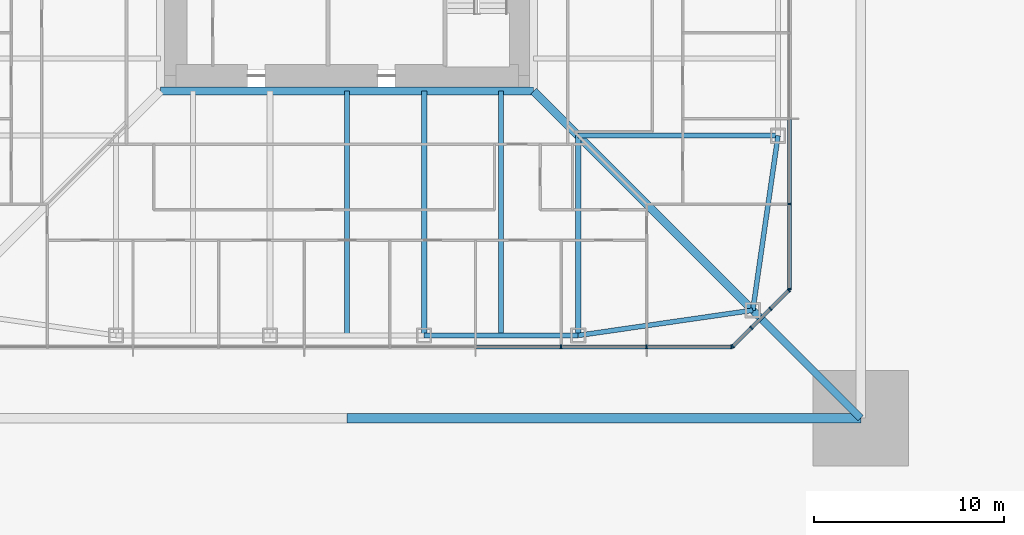
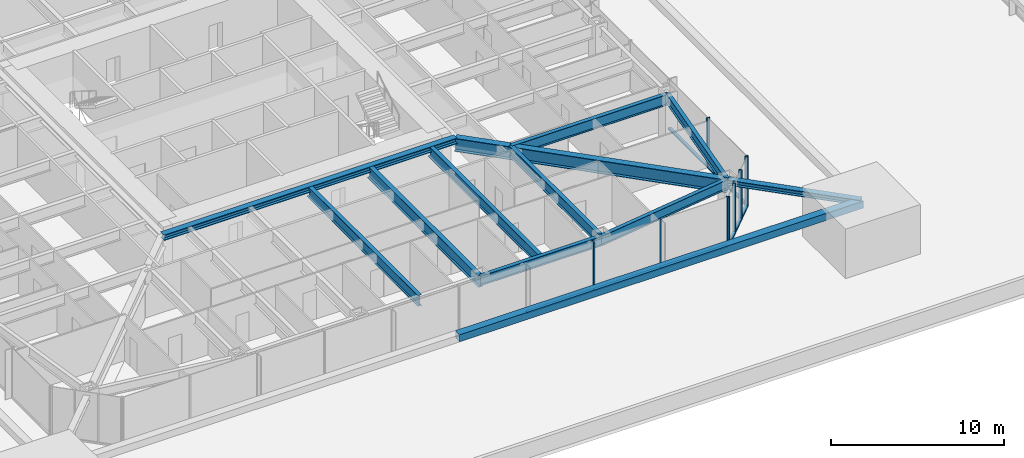
# One storey, part 4 of 31: 19 members, 10 beams, 3 elements without a shape of their own.
"""IFC4 building model written with IfcOpenShell, lengths in metres."""

from ifc_helpers import new_model, si_unit, direction, frame, origin, origin_2d, place, context, subcontext, project, spatial, rectangle, hollow_rectangle, i_section, extrude, material, material_profile, profile_set, type_object, element, aggregate, save


model = new_model("IFC4")

# Units and contexts
model_context = context("Model", 3, precision=1e-05, world=origin(), true_north=direction((0.0, 1.0)))
body_context = subcontext(model_context, "Body", "Model", "MODEL_VIEW")
ifc_project = project(units=[si_unit("LENGTHUNIT", "METRE"), si_unit("AREAUNIT", "SQUARE_METRE"), si_unit("VOLUMEUNIT", "CUBIC_METRE"), si_unit("PLANEANGLEUNIT", "RADIAN"), si_unit("MASSUNIT", "GRAM", prefix="KILO")], contexts=[model_context])

# Site, building, storey
site_placement = place(None, origin())
site = spatial("IfcSite", under=ifc_project, at=site_placement, CompositionType="ELEMENT")
building_placement = place(site_placement, origin())
building = spatial("IfcBuilding", under=site, at=building_placement, Name="Iwan Alto Co-Living Towers", CompositionType="ELEMENT")
storey_placement = place(building_placement, frame((0.0, 0.0, 15.0)))
storey = spatial("IfcBuildingStorey", under=building, at=storey_placement, Name="L03", CompositionType="ELEMENT", Elevation=15.0)

# Curtain wall, members
ifc_material_1 = material(Name="Bronze aluminium unitised frame", Category="aluminium")
curtain_wall_type_1 = type_object("IfcCurtainWallType", Name="CURTAIN WALL CW-A", PredefinedType="NOTDEFINED", material=ifc_material_1)
curtain_wall_1_placement = place(storey_placement, origin())
curtain_wall_1 = element("IfcCurtainWall", 1, at=curtain_wall_1_placement, inside=storey, type_object=curtain_wall_type_1, Name="T1 curtain wall S L03", PredefinedType="NOTDEFINED")
ifc_material_2 = material(Name="Aluminium 6063-T6 bronze anodised", Category="aluminium")
ifc_material_profile_1 = material_profile(ifc_material_2, rectangle(XDim=0.199951171875, YDim=0.080078125, at=origin_2d()), Name="AL 80X200")
ifc_profile_set_1 = profile_set([ifc_material_profile_1], Name="Aluminium 6063-T6 bronze anodised")
member_type_1 = type_object("IfcMemberType", Name="CW-A MULLION 80X200", PredefinedType="MULLION", material=ifc_profile_set_1)
member_1_placement = place(storey_placement, frame((11.25, -23.25, 0.0), z_axis=(0.0, 0.0, 1.0), x_axis=(0.0, 1.0, 0.0)))
member_1 = element("IfcMember", 2, at=member_1_placement, type_object=member_type_1, Name="CW-A mullion 8", PredefinedType="MULLION", context=body_context, shape_type="SweptSolid", body=[
    extrude(rectangle(XDim=0.199951171875, YDim=0.080078125, at=origin_2d()), origin(), (0.0, 0.0, 1.0), 3.5),
])
member_2_placement = place(storey_placement, frame((15.75, -23.25, 0.0), z_axis=(0.0, 0.0, 1.0), x_axis=(0.0, 1.0, 0.0)))
member_2 = element("IfcMember", 3, at=member_2_placement, type_object=member_type_1, Name="CW-A mullion 9", PredefinedType="MULLION", context=body_context, shape_type="SweptSolid", body=[
    extrude(rectangle(XDim=0.199951171875, YDim=0.080078125, at=origin_2d()), origin(), (0.0, 0.0, 1.0), 3.5),
])
member_3_placement = place(storey_placement, frame((20.2099609375, -23.25, 0.0), z_axis=(0.0, 0.0, 1.0), x_axis=(0.0, 1.0, 0.0)))
member_3 = element("IfcMember", 4, at=member_3_placement, type_object=member_type_1, Name="CW-A mullion 10", PredefinedType="MULLION", context=body_context, shape_type="SweptSolid", body=[
    extrude(rectangle(XDim=0.199951171875, YDim=0.080078125, at=origin_2d()), origin(), (0.0, 0.0, 1.0), 3.5),
])

curtain_wall_2_placement = place(storey_placement, origin())
curtain_wall_2 = element("IfcCurtainWall", 5, at=curtain_wall_2_placement, inside=storey, type_object=curtain_wall_type_1, Name="T1 curtain wall E L03", PredefinedType="NOTDEFINED")
member_4_placement = place(storey_placement, frame((23.25, -20.2099609375, 0.0), z_axis=(0.0, 0.0, 1.0), x_axis=(-1.0, 0.0, 0.0)))
member_4 = element("IfcMember", 6, at=member_4_placement, type_object=member_type_1, Name="CW-A mullion 1", PredefinedType="MULLION", context=body_context, shape_type="SweptSolid", body=[
    extrude(rectangle(XDim=0.199951171875, YDim=0.080078125, at=origin_2d()), origin(), (0.0, 0.0, 1.0), 3.5),
])
member_5_placement = place(storey_placement, frame((23.25, -15.75, 0.0), z_axis=(0.0, 0.0, 1.0), x_axis=(-1.0, 0.0, 0.0)))
member_5 = element("IfcMember", 7, at=member_5_placement, type_object=member_type_1, Name="CW-A mullion 2", PredefinedType="MULLION", context=body_context, shape_type="SweptSolid", body=[
    extrude(rectangle(XDim=0.199951171875, YDim=0.080078125, at=origin_2d()), origin(), (0.0, 0.0, 1.0), 3.5),
])

# Member
ifc_material_3 = material(Name="Aluminium 6063-T6 bronze anodised", Category="aluminium")
ifc_material_profile_2 = material_profile(ifc_material_3, rectangle(XDim=0.199951171875, YDim=0.10009765625, at=origin_2d()), Name="AL 200X100")
ifc_profile_set_2 = profile_set([ifc_material_profile_2], Name="Aluminium 6063-T6 bronze anodised")
member_type_2 = type_object("IfcMemberType", Name="CW-A TRANSOM 200X100", PredefinedType="USERDEFINED", material=ifc_profile_set_2)
member_6_placement = place(storey_placement, frame((6.7900390625, -23.25, 0.050048828125), z_axis=(1.0, 0.0, 0.0), x_axis=(0.0, 1.0, 0.0)))
member_6 = element("IfcMember", 8, at=member_6_placement, type_object=member_type_2, Name="CW-A transom 7.1", ObjectType="TRANSOM", PredefinedType="USERDEFINED", context=body_context, shape_type="SweptSolid", body=[
    extrude(rectangle(XDim=0.199951171875, YDim=0.10009765625, at=origin_2d()), origin(), (0.0, 0.0, 1.0), 4.419921875),
])

member_7_placement = place(storey_placement, frame((11.2900390625, -23.25, 0.050048828125), z_axis=(1.0, 0.0, 0.0), x_axis=(0.0, 1.0, 0.0)))
member_7 = element("IfcMember", 9, at=member_7_placement, type_object=member_type_2, Name="CW-A transom 8.1", ObjectType="TRANSOM", PredefinedType="USERDEFINED", context=body_context, shape_type="SweptSolid", body=[
    extrude(rectangle(XDim=0.199951171875, YDim=0.10009765625, at=origin_2d()), origin(), (0.0, 0.0, 1.0), 4.419921875),
])

member_8_placement = place(storey_placement, frame((15.7900390625, -23.25, 0.050048828125), z_axis=(1.0, 0.0, 0.0), x_axis=(0.0, 1.0, 0.0)))
member_8 = element("IfcMember", 10, at=member_8_placement, type_object=member_type_2, Name="CW-A transom 9.1", ObjectType="TRANSOM", PredefinedType="USERDEFINED", context=body_context, shape_type="SweptSolid", body=[
    extrude(rectangle(XDim=0.199951171875, YDim=0.10009765625, at=origin_2d()), origin(), (0.0, 0.0, 1.0), 4.3798828125),
])

aggregate(curtain_wall_1, [member_1, member_2, member_3, member_6, member_7, member_8])

member_9_placement = place(storey_placement, frame((23.25, -20.169921875, 0.050048828125), z_axis=(0.0, 1.0, 0.0), x_axis=(-1.0, 0.0, 0.0)))
member_9 = element("IfcMember", 11, at=member_9_placement, type_object=member_type_2, Name="CW-A transom 1.1", ObjectType="TRANSOM", PredefinedType="USERDEFINED", context=body_context, shape_type="SweptSolid", body=[
    extrude(rectangle(XDim=0.199951171875, YDim=0.10009765625, at=origin_2d()), origin(), (0.0, 0.0, 1.0), 4.3798828125),
])

member_10_placement = place(storey_placement, frame((23.25, -15.7099609375, 0.050048828125), z_axis=(0.0, 1.0, 0.0), x_axis=(-1.0, 0.0, 0.0)))
member_10 = element("IfcMember", 12, at=member_10_placement, type_object=member_type_2, Name="CW-A transom 2.1", ObjectType="TRANSOM", PredefinedType="USERDEFINED", context=body_context, shape_type="SweptSolid", body=[
    extrude(rectangle(XDim=0.199951171875, YDim=0.10009765625, at=origin_2d()), origin(), (0.0, 0.0, 1.0), 4.419921875),
])

aggregate(curtain_wall_2, [member_4, member_5, member_9, member_10])

# Curtain wall, members
ifc_material_4 = material(Name="Bronze aluminium unitised frame", Category="aluminium")
curtain_wall_type_2 = type_object("IfcCurtainWallType", Name="CURTAIN WALL CW-B", PredefinedType="NOTDEFINED", material=ifc_material_4)
curtain_wall_3_placement = place(storey_placement, origin())
curtain_wall_3 = element("IfcCurtainWall", 13, at=curtain_wall_3_placement, inside=storey, type_object=curtain_wall_type_2, Name="T1 chamfer curtain wall SE L03", PredefinedType="NOTDEFINED")
ifc_material_5 = material(Name="Aluminium 6063-T6 bronze anodised", Category="aluminium")
ifc_material_profile_3 = material_profile(ifc_material_5, rectangle(XDim=0.199951171875, YDim=0.080078125, at=origin_2d()), Name="AL 80X200")
ifc_profile_set_3 = profile_set([ifc_material_profile_3], Name="Aluminium 6063-T6 bronze anodised")
member_type_3 = type_object("IfcMemberType", Name="CW-B MULLION 80X200", PredefinedType="MULLION", material=ifc_profile_set_3)
member_11_placement = place(storey_placement, frame((20.2783203125, -23.2216796875, 0.0), z_axis=(0.0, 0.0, 1.0), x_axis=(-0.707106781187, 0.707106781187, 0.0)))
member_11 = element("IfcMember", 14, at=member_11_placement, type_object=member_type_3, Name="CW-B mullion 1", PredefinedType="MULLION", context=body_context, shape_type="SweptSolid", body=[
    extrude(rectangle(XDim=0.199951171875, YDim=0.080078125, at=origin_2d()), origin(), (0.0, 0.0, 1.0), 3.5),
])
member_12_placement = place(storey_placement, frame((21.25, -22.25, 0.0), z_axis=(0.0, 0.0, 1.0), x_axis=(-0.707106781187, 0.707106781187, 0.0)))
member_12 = element("IfcMember", 15, at=member_12_placement, type_object=member_type_3, Name="CW-B mullion 2", PredefinedType="MULLION", context=body_context, shape_type="SweptSolid", body=[
    extrude(rectangle(XDim=0.199951171875, YDim=0.080078125, at=origin_2d()), origin(), (0.0, 0.0, 1.0), 3.5),
])
member_13_placement = place(storey_placement, frame((22.25, -21.25, 0.0), z_axis=(0.0, 0.0, 1.0), x_axis=(-0.707106781187, 0.707106781187, 0.0)))
member_13 = element("IfcMember", 16, at=member_13_placement, type_object=member_type_3, Name="CW-B mullion 3", PredefinedType="MULLION", context=body_context, shape_type="SweptSolid", body=[
    extrude(rectangle(XDim=0.199951171875, YDim=0.080078125, at=origin_2d()), origin(), (0.0, 0.0, 1.0), 3.5),
])
member_14_placement = place(storey_placement, frame((23.2216796875, -20.2783203125, 0.0), z_axis=(0.0, 0.0, 1.0), x_axis=(-0.707106781187, 0.707106781187, 0.0)))
member_14 = element("IfcMember", 17, at=member_14_placement, type_object=member_type_3, Name="CW-B mullion 4", PredefinedType="MULLION", context=body_context, shape_type="SweptSolid", body=[
    extrude(rectangle(XDim=0.199951171875, YDim=0.080078125, at=origin_2d()), origin(), (0.0, 0.0, 1.0), 3.5),
])
ifc_material_6 = material(Name="Aluminium 6063-T6 bronze anodised", Category="aluminium")
ifc_material_profile_4 = material_profile(ifc_material_6, rectangle(XDim=0.199951171875, YDim=0.10009765625, at=origin_2d()), Name="AL 200X100")
ifc_profile_set_4 = profile_set([ifc_material_profile_4], Name="Aluminium 6063-T6 bronze anodised")
member_type_4 = type_object("IfcMemberType", Name="CW-B TRANSOM 200X100", PredefinedType="USERDEFINED", material=ifc_profile_set_4)
member_15_placement = place(storey_placement, frame((20.306640625, -23.193359375, 0.050048828125), z_axis=(0.707106781187, 0.707106781187, 0.0), x_axis=(-0.707106781187, 0.707106781187, 0.0)))
member_15 = element("IfcMember", 18, at=member_15_placement, type_object=member_type_4, Name="CW-B transom 1.1", ObjectType="TRANSOM", PredefinedType="USERDEFINED", context=body_context, shape_type="SweptSolid", body=[
    extrude(rectangle(XDim=0.199951171875, YDim=0.10009765625, at=origin_2d()), origin(), (0.0, 0.0, 1.0), 1.2939453125),
])
member_16_placement = place(storey_placement, frame((21.2783203125, -22.2216796875, 0.050048828125), z_axis=(0.707106781187, 0.707106781187, 0.0), x_axis=(-0.707106781187, 0.707106781187, 0.0)))
member_16 = element("IfcMember", 19, at=member_16_placement, type_object=member_type_4, Name="CW-B transom 2.1", ObjectType="TRANSOM", PredefinedType="USERDEFINED", context=body_context, shape_type="SweptSolid", body=[
    extrude(rectangle(XDim=0.199951171875, YDim=0.10009765625, at=origin_2d()), origin(), (0.0, 0.0, 1.0), 1.334228515625),
])
member_17_placement = place(storey_placement, frame((22.2783203125, -21.2216796875, 0.050048828125), z_axis=(0.707106781187, 0.707106781187, 0.0), x_axis=(-0.707106781187, 0.707106781187, 0.0)))
member_17 = element("IfcMember", 20, at=member_17_placement, type_object=member_type_4, Name="CW-B transom 3.1", ObjectType="TRANSOM", PredefinedType="USERDEFINED", context=body_context, shape_type="SweptSolid", body=[
    extrude(rectangle(XDim=0.199951171875, YDim=0.10009765625, at=origin_2d()), origin(), (0.0, 0.0, 1.0), 1.2939453125),
])
aggregate(curtain_wall_3, [member_11, member_12, member_13, member_14, member_15, member_16, member_17])

# Beams
ifc_material_7 = material(Name="Steel ASTM A992 Gr 50", Category="steel")
ifc_material_profile_5 = material_profile(ifc_material_7, i_section(OverallWidth=0.40380859375, OverallDepth=0.406494140625, WebThickness=0.027099609375, FlangeThickness=0.043701171875, at=origin_2d()), Name="W14X233")
ifc_profile_set_5 = profile_set([ifc_material_profile_5], Name="Steel ASTM A992 Gr 50")
beam_type_1 = type_object("IfcBeamType", Name="T1 CORE LEDGER BEAM W14X233", PredefinedType="BEAM", material=ifc_profile_set_5)
beam_1_placement = place(storey_placement, frame((-9.802001953125, -9.802001953125, 3.06689453125), z_axis=(1.0, 0.0, 0.0), x_axis=(0.0, 1.0, 0.0)))
element("IfcBeam", 21, at=beam_1_placement, inside=storey, type_object=beam_type_1, Name="T1 core ledger beam S L04", PredefinedType="BEAM", context=body_context, shape_type="SweptSolid", body=[
    extrude(i_section(OverallWidth=0.40380859375, OverallDepth=0.406494140625, WebThickness=0.027099609375, FlangeThickness=0.043701171875, at=origin_2d()), origin(), (0.0, 0.0, 1.0), 19.60400390625),
])
ifc_material_8 = material(Name="Steel ASTM A992 Gr 50", Category="steel")
ifc_material_profile_6 = material_profile(ifc_material_8, i_section(OverallWidth=0.419189453125, OverallDepth=0.927001953125, WebThickness=0.019287109375, FlangeThickness=0.031982421875, at=origin_2d()), Name="W36X231")
ifc_profile_set_6 = profile_set([ifc_material_profile_6], Name="Steel ASTM A992 Gr 50")
beam_type_2 = type_object("IfcBeamType", Name="T1 CORNER GIRDER W36X231", PredefinedType="BEAM", material=ifc_profile_set_6)
beam_2_placement = place(storey_placement, frame((21.32568359375, -21.32568359375, 2.806396484375), z_axis=(-0.707106781187, 0.707106781187, 0.0), x_axis=(-0.707106781187, -0.707106781187, 0.0)))
element("IfcBeam", 22, at=beam_2_placement, inside=storey, type_object=beam_type_2, Name="T1 corner girder CSE L04", PredefinedType="BEAM", context=body_context, shape_type="SweptSolid", body=[
    extrude(i_section(OverallWidth=0.419189453125, OverallDepth=0.927001953125, WebThickness=0.019287109375, FlangeThickness=0.031982421875, at=origin_2d()), origin(), (0.0, 0.0, 1.0), 16.296875),
])
ifc_material_9 = material(Name="Steel ASTM A992 Gr 50", Category="steel")
ifc_material_profile_7 = material_profile(ifc_material_9, i_section(OverallWidth=0.25390625, OverallDepth=0.683349609375, WebThickness=0.012451171875, FlangeThickness=0.018798828125, at=origin_2d()), Name="W27X94")
ifc_profile_set_7 = profile_set([ifc_material_profile_7], Name="Steel ASTM A992 Gr 50")
beam_type_3 = type_object("IfcBeamType", Name="T1 EDGE BEAM W27X94", PredefinedType="BEAM", material=ifc_profile_set_7)
beam_3_placement = place(storey_placement, frame((4.050048828125, -22.64990234375, 2.928466796875), z_axis=(1.0, 0.0, 0.0), x_axis=(0.0, 1.0, 0.0)))
element("IfcBeam", 23, at=beam_3_placement, inside=storey, type_object=beam_type_3, Name="T1 edge beam S3 L04", PredefinedType="BEAM", context=body_context, shape_type="SweptSolid", body=[
    extrude(i_section(OverallWidth=0.25390625, OverallDepth=0.683349609375, WebThickness=0.012451171875, FlangeThickness=0.018798828125, at=origin_2d()), origin(), (0.0, 0.0, 1.0), 8.099853515625),
])
for number, where, z_axis, x_axis, name in (
    (24, (12.14990234375, -22.64990234375, 2.928466796875), (0.989746234347, 0.142836940589, 0.0), (-0.142836940589, 0.989746234347, 0.0), "T1 edge beam S4 L04"),
    (25, (21.32568359375, -21.32568359375, 2.928466796875), (0.142836940589, 0.989746234347, 0.0), (-0.989746234347, 0.142836940589, 0.0), "T1 edge beam CSE L04"),
):
    element("IfcBeam", number, at=place(storey_placement, frame(where, z_axis=z_axis, x_axis=x_axis)), inside=storey, type_object=beam_type_3, Name=name, PredefinedType="BEAM", context=body_context, shape_type="SweptSolid", body=[
        extrude(i_section(OverallWidth=0.25390625, OverallDepth=0.683349609375, WebThickness=0.012451171875, FlangeThickness=0.018798828125, at=origin_2d()), origin(), (0.0, 0.0, 1.0), 9.270751953125),
    ])

# Members
ifc_material_10 = material(Name="Steel ASTM A992 Gr 50", Category="steel")
ifc_material_profile_8 = material_profile(ifc_material_10, i_section(OverallWidth=0.393798828125, OverallDepth=0.3759765625, WebThickness=0.017333984375, FlangeThickness=0.027587890625, at=origin_2d()), Name="W14X145")
ifc_profile_set_8 = profile_set([ifc_material_profile_8], Name="Steel ASTM A992 Gr 50")
member_type_5 = type_object("IfcMemberType", Name="T1 MEGA COLUMN FLOOR TIE W14X145", PredefinedType="STRUT", material=ifc_profile_set_8)
member_18_placement = place(storey_placement, frame((27.0, -27.0, 3.08203125), z_axis=(-0.707106781187, 0.707106781187, 0.0), x_axis=(-0.707106781187, -0.707106781187, 0.0)))
element("IfcMember", 26, at=member_18_placement, inside=storey, type_object=member_type_5, Name="T1 mega column floor tie SE L04", PredefinedType="STRUT", context=body_context, shape_type="SweptSolid", body=[
    extrude(i_section(OverallWidth=0.393798828125, OverallDepth=0.3759765625, WebThickness=0.017333984375, FlangeThickness=0.027587890625, at=origin_2d()), origin(), (0.0, 0.0, 1.0), 8.024658203125),
])
ifc_material_11 = material(Name="Steel ASTM A572 Gr 50", Category="steel")
ifc_material_profile_9 = material_profile(ifc_material_11, hollow_rectangle(XDim=0.5, YDim=0.5, WallThickness=0.031982421875, at=origin_2d()), Name="BOX 500X500X32")
ifc_profile_set_9 = profile_set([ifc_material_profile_9], Name="Steel ASTM A572 Gr 50")
member_type_6 = type_object("IfcMemberType", Name="T1 MEGA TIE BOX 500X500X32", PredefinedType="STRUT", material=ifc_profile_set_9)
member_19_placement = place(storey_placement, frame((0.0, -27.0, 3.0), z_axis=(1.0, 0.0, 0.0), x_axis=(0.0, 1.0, 0.0)))
element("IfcMember", 27, at=member_19_placement, inside=storey, type_object=member_type_6, Name="T1 mega tie Z1A S 2", PredefinedType="STRUT", context=body_context, shape_type="SweptSolid", body=[
    extrude(hollow_rectangle(XDim=0.5, YDim=0.5, WallThickness=0.031982421875, at=origin_2d()), origin(), (0.0, 0.0, 1.0), 27.0),
])

# Beams
ifc_material_12 = material(Name="Steel ASTM A992 Gr 50", Category="steel")
ifc_material_profile_10 = material_profile(ifc_material_12, i_section(OverallWidth=0.2666015625, OverallDepth=0.761962890625, WebThickness=0.014404296875, FlangeThickness=0.021484375, at=origin_2d()), Name="W30X116")
ifc_profile_set_10 = profile_set([ifc_material_profile_10], Name="Steel ASTM A992 Gr 50")
beam_type_4 = type_object("IfcBeamType", Name="T1 RADIAL BEAM W30X116", PredefinedType="BEAM", material=ifc_profile_set_10)
for number, where, z_axis, x_axis, name in (
    (28, (12.14990234375, -22.64990234375, 2.888916015625), (0.0, 1.0, 0.0), (-1.0, 0.0, 0.0), "T1 radial beam S4 L04"),
    (29, (22.64990234375, -12.14990234375, 2.888916015625), (-1.0, 0.0, 0.0), (0.0, -1.0, 0.0), "T1 radial beam E1 L04"),
):
    element("IfcBeam", number, at=place(storey_placement, frame(where, z_axis=z_axis, x_axis=x_axis)), inside=storey, type_object=beam_type_4, Name=name, PredefinedType="BEAM", context=body_context, shape_type="SweptSolid", body=[
        extrude(i_section(OverallWidth=0.2666015625, OverallDepth=0.761962890625, WebThickness=0.014404296875, FlangeThickness=0.021484375, at=origin_2d()), origin(), (0.0, 0.0, 1.0), 10.5),
    ])
ifc_material_13 = material(Name="Steel ASTM A992 Gr 50", Category="steel")
ifc_material_profile_11 = material_profile(ifc_material_13, i_section(OverallWidth=0.2919921875, OverallDepth=0.8408203125, WebThickness=0.0146484375, FlangeThickness=0.021728515625, at=origin_2d()), Name="W33X130")
ifc_profile_set_11 = profile_set([ifc_material_profile_11], Name="Steel ASTM A992 Gr 50")
beam_type_5 = type_object("IfcBeamType", Name="T1 RADIAL BEAM W33X130", PredefinedType="BEAM", material=ifc_profile_set_11)
beam_4_placement = place(storey_placement, frame((4.050048828125, -22.64990234375, 2.849609375), z_axis=(0.0, 1.0, 0.0), x_axis=(-1.0, 0.0, 0.0)))
element("IfcBeam", 30, at=beam_4_placement, inside=storey, type_object=beam_type_5, Name="T1 radial beam S3 L04", PredefinedType="BEAM", context=body_context, shape_type="SweptSolid", body=[
    extrude(i_section(OverallWidth=0.2919921875, OverallDepth=0.8408203125, WebThickness=0.0146484375, FlangeThickness=0.021728515625, at=origin_2d()), origin(), (0.0, 0.0, 1.0), 12.847900390625),
])
ifc_material_14 = material(Name="Steel ASTM A992 Gr 50", Category="steel")
ifc_material_profile_12 = material_profile(ifc_material_14, i_section(OverallWidth=0.2666015625, OverallDepth=0.761962890625, WebThickness=0.014404296875, FlangeThickness=0.021484375, at=origin_2d()), Name="W30X116")
ifc_profile_set_12 = profile_set([ifc_material_profile_12], Name="Steel ASTM A992 Gr 50")
beam_type_6 = type_object("IfcBeamType", Name="T1 SECONDARY BEAM W30X116", PredefinedType="JOIST", material=ifc_profile_set_12)
for number, where, z_axis, x_axis, name in (
    (31, (0.0, -22.64990234375, 2.888916015625), (0.0, 1.0, 0.0), (-1.0, 0.0, 0.0), "T1 secondary beam S2 L04"),
    (32, (8.10009765625, -22.64990234375, 2.888916015625), (0.0, 1.0, 0.0), (-1.0, 0.0, 0.0), "T1 secondary beam S3 L04"),
):
    element("IfcBeam", number, at=place(storey_placement, frame(where, z_axis=z_axis, x_axis=x_axis)), inside=storey, type_object=beam_type_6, Name=name, PredefinedType="JOIST", context=body_context, shape_type="SweptSolid", body=[
        extrude(i_section(OverallWidth=0.2666015625, OverallDepth=0.761962890625, WebThickness=0.014404296875, FlangeThickness=0.021484375, at=origin_2d()), origin(), (0.0, 0.0, 1.0), 12.847900390625),
    ])

save(model, "model.ifc")
